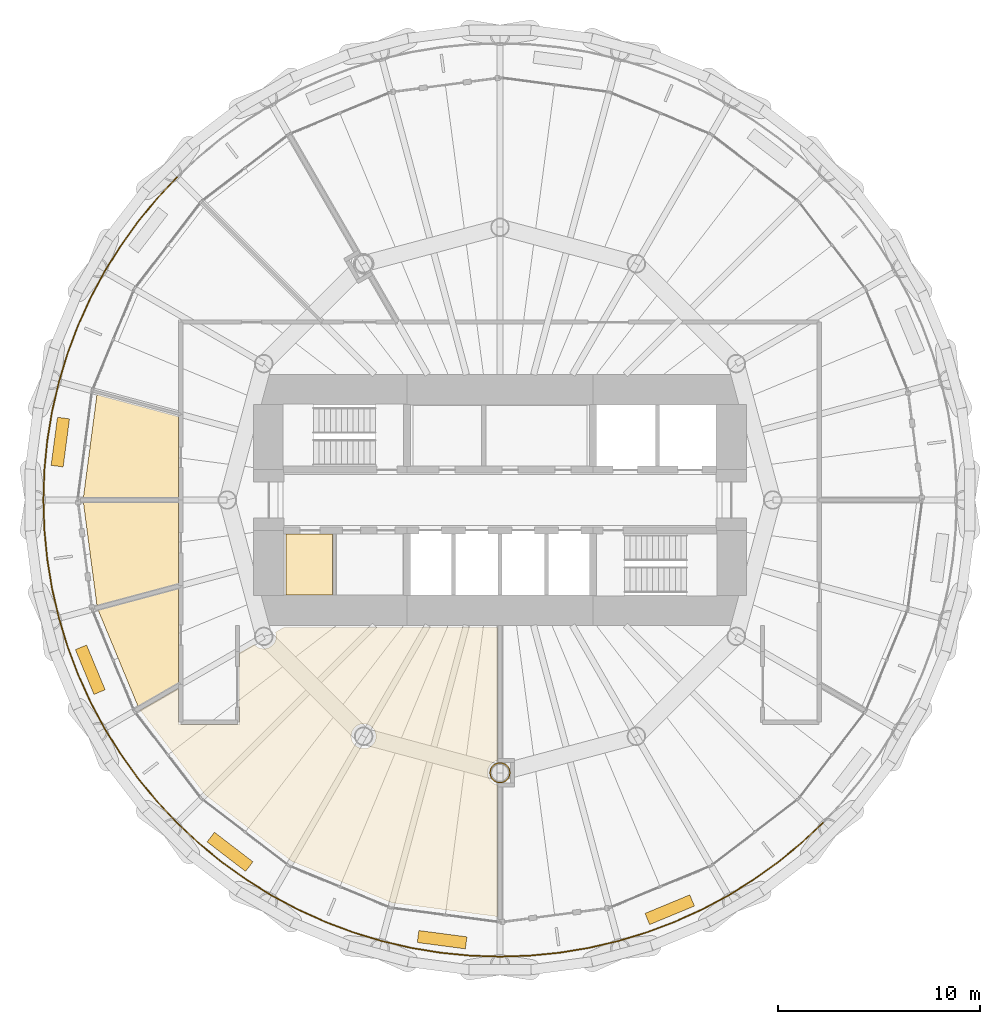
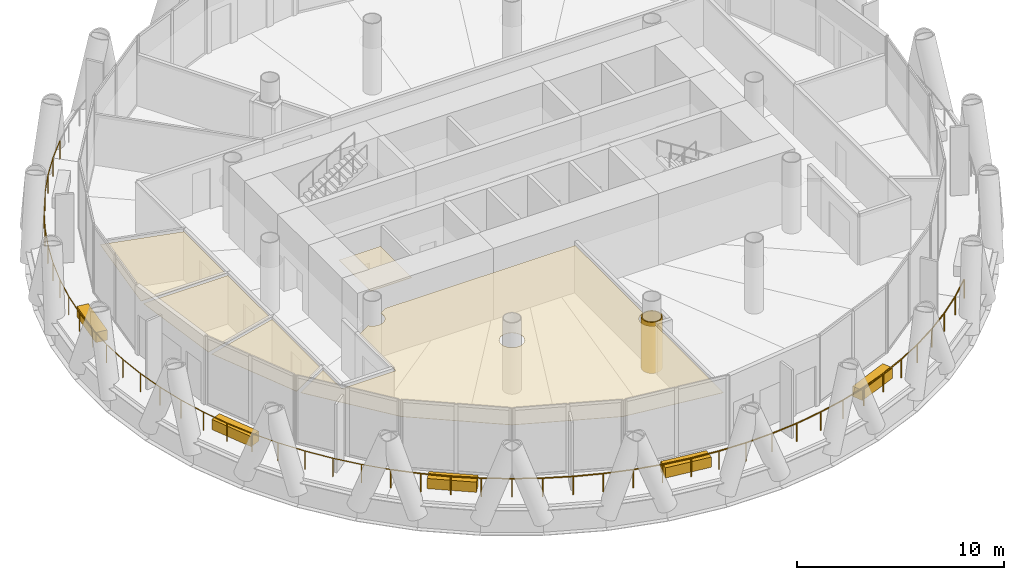
# One storey, part 12 of 14: 11 coverings, 2 railings.
"""IFC4 building model written with IfcOpenShell, lengths in metres."""

import ifcopenshell
import ifcopenshell.guid

model = None  # the IFC model being written
_history = None  # IfcOwnerHistory: only IFC2X3 demands one
_inside = {}  # id of a spatial element -> (the spatial element, [elements in it])
_under = {}  # id of a project, library or spatial element -> (it, [spatial elements below it])
_declared = {}  # id of a project -> (the project, [libraries it declares])
_typed = {}  # id of a type object -> (the type object, [elements of that type])
_made_of = {}  # id of a material, layer set ... -> (it, [elements and type objects made of it])


def new_model(schema):
    """Start an empty IFC model of exactly this schema.

    Asked for "IFC4X3", IfcOpenShell would pick the latest addendum, in which some entities
    have other attributes; the version numbers below select the first issue.
    IFC2X3 requires an IfcOwnerHistory on every rooted entity: one is made here for all.
    """
    global model, _history
    if schema == "IFC4X3":
        model = ifcopenshell.file(schema_version=(4, 3, 0, 0))
    else:
        model = ifcopenshell.file(schema=schema)
    _inside.clear()
    _under.clear()
    _declared.clear()
    _typed.clear()
    _made_of.clear()
    _history = None
    if model.schema == "IFC2X3":
        org = make("IfcOrganization", Name="unknown")
        user = make(
            "IfcPersonAndOrganization",
            ThePerson=make("IfcPerson", FamilyName="unknown"),
            TheOrganization=org,
        )
        app = make(
            "IfcApplication",
            ApplicationDeveloper=org,
            Version="unknown",
            ApplicationFullName="unknown",
            ApplicationIdentifier="unknown",
        )
        _history = make(
            "IfcOwnerHistory",
            OwningUser=user,
            OwningApplication=app,
            ChangeAction="ADDED",
            CreationDate=0,
        )
    return model


def make(cls, **values):
    """One entity of the class cls with the attributes given. An attribute that is None is left unset."""
    return model.create_entity(
        cls, **{name: value for name, value in values.items() if value is not None}
    )


def rooted(cls, **values):
    """An entity with a GlobalId (a new one), such as an element, a storey or a relation."""
    return make(cls, GlobalId=ifcopenshell.guid.new(), OwnerHistory=_history, **values)


def si_unit(unit_type, name, prefix=None):
    """IfcSIUnit, for example si_unit("LENGTHUNIT", "METRE", prefix="MILLI")."""
    return make("IfcSIUnit", UnitType=unit_type, Prefix=prefix, Name=name)


def assignment(units):
    """IfcUnitAssignment: the units of a project."""
    return None if units is None else make("IfcUnitAssignment", Units=units)


def point(xyz):
    """IfcCartesianPoint."""
    return None if xyz is None else make("IfcCartesianPoint", Coordinates=xyz)


def direction(xyz):
    """IfcDirection."""
    return None if xyz is None else make("IfcDirection", DirectionRatios=xyz)


def frame(location, z_axis=None, x_axis=None):
    """IfcAxis2Placement3D, a coordinate frame: its origin and axes. An axis left out is left unset."""
    return make(
        "IfcAxis2Placement3D",
        Location=point(location),
        Axis=direction(z_axis),
        RefDirection=direction(x_axis),
    )


def frame_2d(location, x_axis=None):
    """IfcAxis2Placement2D, a coordinate frame in the plane: its origin and x axis."""
    return make(
        "IfcAxis2Placement2D", Location=point(location), RefDirection=direction(x_axis)
    )


def origin():
    """The frame at (0, 0, 0) with its axes left unset."""
    return frame((0.0, 0.0, 0.0))


def origin_2d():
    """The frame at (0, 0) in the plane with its x axis left unset."""
    return frame_2d((0.0, 0.0))


def place(relative_to, where):
    """IfcLocalPlacement: puts the frame where relative to a parent placement (None: the world)."""
    return make(
        "IfcLocalPlacement", PlacementRelTo=relative_to, RelativePlacement=where
    )


def context(
    kind, dimensions, precision=None, world=None, true_north=None, identifier=None
):
    """IfcGeometricRepresentationContext, for example the 3D "Model" context."""
    return make(
        "IfcGeometricRepresentationContext",
        ContextIdentifier=identifier,
        ContextType=kind,
        CoordinateSpaceDimension=dimensions,
        Precision=precision,
        WorldCoordinateSystem=world,
        TrueNorth=true_north,
    )


def subcontext(parent, identifier, kind, view, scale=None):
    """IfcGeometricRepresentationSubContext, for example "Body" below "Model"."""
    return make(
        "IfcGeometricRepresentationSubContext",
        ContextIdentifier=identifier,
        ContextType=kind,
        ParentContext=parent,
        TargetScale=scale,
        TargetView=view,
    )


def project(units=None, contexts=None):
    """IfcProject with its units and contexts."""
    return rooted(
        "IfcProject",
        Name="project",
        RepresentationContexts=contexts,
        UnitsInContext=assignment(units),
    )


def spatial(cls, under=None, at=None, **own):
    """A site, building, storey or space (cls), placed at a placement, below another one or the project."""
    s = rooted(cls, ObjectPlacement=at, **own)
    if under is not None:
        _under.setdefault(under.id(), (under, []))[1].append(s)
    return s


def polyline(points):
    """IfcPolyline through the points."""
    return make("IfcPolyline", Points=[point(p) for p in points])


def profile(cls, at=None, kind="AREA", **sizes):
    """A parametric profile (cls). Its sizes go by their IFC names, for example OverallWidth=200.0."""
    return make(cls, ProfileType=kind, Position=at, **sizes)


def rectangle(**sizes):
    """IfcRectangleProfileDef."""
    return profile("IfcRectangleProfileDef", **sizes)


def circle(**sizes):
    """IfcCircleProfileDef."""
    return profile("IfcCircleProfileDef", **sizes)


def outline(outer, holes=None, kind="AREA"):
    """IfcArbitraryClosedProfileDef: a profile drawn as a closed curve; with holes, ...WithVoids."""
    if holes is None:
        return make("IfcArbitraryClosedProfileDef", ProfileType=kind, OuterCurve=outer)
    return make(
        "IfcArbitraryProfileDefWithVoids",
        ProfileType=kind,
        OuterCurve=outer,
        InnerCurves=holes,
    )


def extrude(swept, where, along, depth):
    """IfcExtrudedAreaSolid: the profile swept, set in the frame where, extruded along a direction by depth."""
    return make(
        "IfcExtrudedAreaSolid",
        SweptArea=swept,
        Position=where,
        ExtrudedDirection=direction(along),
        Depth=depth,
    )


def shape(context_of_items, identifier, shape_type, items):
    """IfcShapeRepresentation: the items that make up one representation, for example the "Body"."""
    return make(
        "IfcShapeRepresentation",
        ContextOfItems=context_of_items,
        RepresentationIdentifier=identifier,
        RepresentationType=shape_type,
        Items=items,
    )


def material(Name=None, Category=None):
    """IfcMaterial."""
    return make("IfcMaterial", Name=Name, Category=Category)


def layer(
    of_material, thickness, ventilated=None, Name=None, Category=None, Priority=None
):
    """IfcMaterialLayer: one layer of a wall or slab, of a material (None: an air gap)."""
    return make(
        "IfcMaterialLayer",
        Material=of_material,
        LayerThickness=thickness,
        IsVentilated=ventilated,
        Name=Name,
        Category=Category,
        Priority=Priority,
    )


def layer_set(layers, Name=None):
    """IfcMaterialLayerSet."""
    return make("IfcMaterialLayerSet", MaterialLayers=layers, LayerSetName=Name)


def made_of(thing, what):
    """Note that an element or type object is made of a material, layer set ...; save() writes the relation."""
    if what is not None:
        _made_of.setdefault(what.id(), (what, []))[1].append(thing)
    return thing


def type_object(cls, material=None, **own):
    """A type object (cls), such as IfcWallType, which elements share."""
    return made_of(rooted(cls, **own), material)


def element(
    cls,
    number,
    at=None,
    inside=None,
    cuts=None,
    type_object=None,
    material=None,
    context=None,
    identifier="Body",
    shape_type=None,
    held_by="IfcProductDefinitionShape",
    body=None,
    shapes=None,
    **own,
):
    """One element of the class cls, such as IfcWall. Its Tag is "e" and its number.

    at: its placement. inside: the storey or other place that contains it. cuts: it is an
    opening in that element (IfcRelVoidsElement). A single representation is given by context,
    identifier, shape_type and body (its items); several are given by shapes. held_by: the class
    of the entity that holds the representations. save() writes the other relations.
    """
    e = rooted(cls, Tag="e%d" % number, ObjectPlacement=at, **own)
    if body is not None:
        shapes = [shape(context, identifier, shape_type, body)]
    if shapes is not None:
        e.Representation = make(held_by, Representations=shapes)
    if inside is not None:
        _inside.setdefault(inside.id(), (inside, []))[1].append(e)
    if cuts is not None:
        rooted(
            "IfcRelVoidsElement", RelatingBuildingElement=cuts, RelatedOpeningElement=e
        )
    if type_object is not None:
        _typed.setdefault(type_object.id(), (type_object, []))[1].append(e)
    return made_of(e, material)


def aggregate(whole, parts):
    """IfcRelAggregates: a whole, such as a stair, and the parts it consists of."""
    return rooted("IfcRelAggregates", RelatingObject=whole, RelatedObjects=parts)


def save(model, path):
    """Write the relations noted so far, then the file.

    IfcRelAggregates (storeys below a building ...), IfcRelContainedInSpatialStructure (elements
    in a storey), IfcRelDefinesByType, IfcRelAssociatesMaterial and IfcRelDeclares: one each for
    every whole, place, type object, material and project.
    """
    for whole, parts in _under.values():
        aggregate(whole, parts)
    for where, things in _inside.values():
        rooted(
            "IfcRelContainedInSpatialStructure",
            RelatedElements=things,
            RelatingStructure=where,
        )
    for kind, things in _typed.values():
        rooted("IfcRelDefinesByType", RelatedObjects=things, RelatingType=kind)
    for what, things in _made_of.values():
        rooted("IfcRelAssociatesMaterial", RelatedObjects=things, RelatingMaterial=what)
    for by, libraries in _declared.values():
        rooted("IfcRelDeclares", RelatingContext=by, RelatedDefinitions=libraries)
    model.write(path)


model = new_model("IFC4")

# Units and contexts
model_context = context("Model", 3, precision=1e-05, world=origin(), true_north=direction((0.0, 1.0)))
body_context = subcontext(model_context, "Body", "Model", "MODEL_VIEW")
ifc_project = project(units=[si_unit("LENGTHUNIT", "METRE"), si_unit("AREAUNIT", "SQUARE_METRE"), si_unit("VOLUMEUNIT", "CUBIC_METRE"), si_unit("PLANEANGLEUNIT", "RADIAN"), si_unit("MASSUNIT", "GRAM", prefix="KILO")], contexts=[model_context])

# Site, building, storey
site_placement = place(None, origin())
site = spatial("IfcSite", under=ifc_project, at=site_placement, CompositionType="ELEMENT")
building_placement = place(site_placement, origin())
building = spatial("IfcBuilding", under=site, at=building_placement, Name="Qaws Media Tower", CompositionType="ELEMENT")
storey_placement = place(building_placement, frame((0.0, 0.0, 206.60009765625)))
storey = spatial("IfcBuildingStorey", under=building, at=storey_placement, Name="L47", CompositionType="ELEMENT", Elevation=206.60009765625)

# Railings
ifc_material_1 = material(Name="Stainless steel and glass guard", Category="steel")
railing_type = type_object("IfcRailingType", Name="Balcony guard 1100", PredefinedType="GUARDRAIL", material=ifc_material_1)
railing_1_placement = place(storey_placement, frame((44.019287109375, 65.980712890625, 0.0)))
element("IfcRailing", 1, at=railing_1_placement, inside=storey, type_object=railing_type, Name="GR1 balcony guard L47-2", PredefinedType="GUARDRAIL", context=body_context, shape_type="SweptSolid", body=[
    extrude(circle(Radius=0.02392578125, at=origin_2d()), frame((0.0, 0.0, 1.076171875), z_axis=(-0.683534708636, -0.729918010526, 0.0), x_axis=(0.729918010526, -0.683534708636, 0.0)), (0.0, 0.0, 1.0), 1.47900390625),
    extrude(circle(Radius=0.02392578125, at=origin_2d()), frame((-1.010986328125, -1.07958984375, 1.076171875), z_axis=(-0.6343520334, -0.773044305148, 0.0), x_axis=(0.773044305148, -0.6343520334, 0.0)), (0.0, 0.0, 1.0), 1.478759765625),
    extrude(circle(Radius=0.02392578125, at=origin_2d()), frame((-1.948974609375, -2.22265625, 1.076171875), z_axis=(-0.582533482314, -0.812806706409, 0.0), x_axis=(0.812806706409, -0.582533482314, 0.0)), (0.0, 0.0, 1.0), 1.47900390625),
    extrude(circle(Radius=0.02392578125, at=origin_2d()), frame((-2.810546875, -3.4248046875, 1.076171875), z_axis=(-0.528098236808, -0.849183285446, 0.0), x_axis=(0.849183285446, -0.528098236808, 0.0)), (0.0, 0.0, 1.0), 1.47900390625),
    extrude(circle(Radius=0.02392578125, at=origin_2d()), frame((-3.591552734375, -4.6806640625, 1.076171875), z_axis=(-0.471282079795, -0.881982540226, 0.0), x_axis=(0.881982540226, -0.471282079795, 0.0)), (0.0, 0.0, 1.0), 1.47900390625),
    extrude(circle(Radius=0.02392578125, at=origin_2d()), frame((-4.28857421875, -5.985107421875, 1.076171875), z_axis=(-0.412745358615, -0.910846457391, 0.0), x_axis=(0.910846457391, -0.412745358615, 0.0)), (0.0, 0.0, 1.0), 1.478759765625),
    extrude(circle(Radius=0.02392578125, at=origin_2d()), frame((-4.89892578125, -7.33203125, 1.076171875), z_axis=(-0.352299138469, -0.935887448914, 0.0), x_axis=(0.935887448914, -0.352299138469, 0.0)), (0.0, 0.0, 1.0), 1.478759765625),
    extrude(circle(Radius=0.02392578125, at=origin_2d()), frame((-5.419921875, -8.716064453125, 1.076171875), z_axis=(-0.290208982449, -0.956963294231, 0.0), x_axis=(0.956963294231, -0.290208982449, 0.0)), (0.0, 0.0, 1.0), 1.47900390625),
    extrude(circle(Radius=0.02392578125, at=origin_2d()), frame((-5.84912109375, -10.13134765625, 1.076171875), z_axis=(-0.227125254792, -0.973865554702, 0.0), x_axis=(0.973865554702, -0.227125254792, 0.0)), (0.0, 0.0, 1.0), 1.47900390625),
    extrude(circle(Radius=0.02392578125, at=origin_2d()), frame((-6.18505859375, -11.57177734375, 1.076171875), z_axis=(-0.162953075722, -0.986633820175, 0.0), x_axis=(0.986633820175, -0.162953075722, 0.0)), (0.0, 0.0, 1.0), 1.478759765625),
    extrude(circle(Radius=0.02392578125, at=origin_2d()), frame((-6.426025390625, -13.03076171875, 1.076171875), z_axis=(-0.097885589811, -0.995197674488, 0.0), x_axis=(0.995197674488, -0.097885589811, 0.0)), (0.0, 0.0, 1.0), 1.47900390625),
    extrude(circle(Radius=0.02392578125, at=origin_2d()), frame((-6.57080078125, -14.502685546875, 1.076171875), z_axis=(-0.032853085257, -0.999460191698, 0.0), x_axis=(0.999460191698, -0.032853085257, 0.0)), (0.0, 0.0, 1.0), 1.478759765625),
    extrude(circle(Radius=0.02392578125, at=origin_2d()), frame((-6.619384765625, -15.980712890625, 1.076171875), z_axis=(0.032853085257, -0.999460191698, 0.0), x_axis=(0.999460191698, 0.032853085257, 0.0)), (0.0, 0.0, 1.0), 1.478759765625),
    extrude(circle(Radius=0.02392578125, at=origin_2d()), frame((-6.57080078125, -17.458740234375, 1.076171875), z_axis=(0.097885589811, -0.995197674488, 0.0), x_axis=(0.995197674488, 0.097885589811, 0.0)), (0.0, 0.0, 1.0), 1.47900390625),
    extrude(circle(Radius=0.02392578125, at=origin_2d()), frame((-6.426025390625, -18.9306640625, 1.076171875), z_axis=(0.162953075722, -0.986633820175, 0.0), x_axis=(0.986633820175, 0.162953075722, 0.0)), (0.0, 0.0, 1.0), 1.478759765625),
    extrude(circle(Radius=0.02392578125, at=origin_2d()), frame((-6.18505859375, -20.3896484375, 1.076171875), z_axis=(0.227125254792, -0.973865554702, 0.0), x_axis=(0.973865554702, 0.227125254792, 0.0)), (0.0, 0.0, 1.0), 1.47900390625),
    extrude(circle(Radius=0.02392578125, at=origin_2d()), frame((-5.84912109375, -21.830078125, 1.076171875), z_axis=(0.290208982449, -0.956963294231, 0.0), x_axis=(0.956963294231, 0.290208982449, 0.0)), (0.0, 0.0, 1.0), 1.47900390625),
    extrude(circle(Radius=0.02392578125, at=origin_2d()), frame((-5.419921875, -23.245361328125, 1.076171875), z_axis=(0.352299138469, -0.935887448914, 0.0), x_axis=(0.935887448914, 0.352299138469, 0.0)), (0.0, 0.0, 1.0), 1.478759765625),
    extrude(circle(Radius=0.02392578125, at=origin_2d()), frame((-4.89892578125, -24.62939453125, 1.076171875), z_axis=(0.412745358615, -0.910846457391, 0.0), x_axis=(0.910846457391, 0.412745358615, 0.0)), (0.0, 0.0, 1.0), 1.478759765625),
    extrude(circle(Radius=0.02392578125, at=origin_2d()), frame((-4.28857421875, -25.976318359375, 1.076171875), z_axis=(0.471282079795, -0.881982540226, 0.0), x_axis=(0.881982540226, 0.471282079795, 0.0)), (0.0, 0.0, 1.0), 1.47900390625),
    extrude(circle(Radius=0.02392578125, at=origin_2d()), frame((-3.591552734375, -27.28076171875, 1.076171875), z_axis=(0.528098236808, -0.849183285446, 0.0), x_axis=(0.849183285446, 0.528098236808, 0.0)), (0.0, 0.0, 1.0), 1.47900390625),
    extrude(circle(Radius=0.02392578125, at=origin_2d()), frame((-2.810546875, -28.53662109375, 1.076171875), z_axis=(0.582533482314, -0.812806706409, 0.0), x_axis=(0.812806706409, 0.582533482314, 0.0)), (0.0, 0.0, 1.0), 1.47900390625),
    extrude(circle(Radius=0.02392578125, at=origin_2d()), frame((-1.948974609375, -29.73876953125, 1.076171875), z_axis=(0.6343520334, -0.773044305148, 0.0), x_axis=(0.773044305148, 0.6343520334, 0.0)), (0.0, 0.0, 1.0), 1.478759765625),
    extrude(circle(Radius=0.02392578125, at=origin_2d()), frame((-1.010986328125, -30.8818359375, 1.076171875), z_axis=(0.683534708636, -0.729918010526, 0.0), x_axis=(0.729918010526, 0.683534708636, 0.0)), (0.0, 0.0, 1.0), 1.47900390625),
    extrude(circle(Radius=0.02099609375, at=origin_2d()), origin(), (0.0, 0.0, 1.0), 1.052001953125),
    extrude(circle(Radius=0.02099609375, at=origin_2d()), frame((-1.010986328125, -1.07958984375, 0.0)), (0.0, 0.0, 1.0), 1.052001953125),
    extrude(circle(Radius=0.02099609375, at=origin_2d()), frame((-1.948974609375, -2.22265625, 0.0)), (0.0, 0.0, 1.0), 1.052001953125),
    extrude(circle(Radius=0.02099609375, at=origin_2d()), frame((-2.810546875, -3.4248046875, 0.0)), (0.0, 0.0, 1.0), 1.052001953125),
    extrude(circle(Radius=0.02099609375, at=origin_2d()), frame((-3.591552734375, -4.6806640625, 0.0)), (0.0, 0.0, 1.0), 1.052001953125),
    extrude(circle(Radius=0.02099609375, at=origin_2d()), frame((-4.28857421875, -5.985107421875, 0.0)), (0.0, 0.0, 1.0), 1.052001953125),
    extrude(circle(Radius=0.02099609375, at=origin_2d()), frame((-4.89892578125, -7.33203125, 0.0)), (0.0, 0.0, 1.0), 1.052001953125),
    extrude(circle(Radius=0.02099609375, at=origin_2d()), frame((-5.419921875, -8.716064453125, 0.0)), (0.0, 0.0, 1.0), 1.052001953125),
    extrude(circle(Radius=0.02099609375, at=origin_2d()), frame((-5.84912109375, -10.13134765625, 0.0)), (0.0, 0.0, 1.0), 1.052001953125),
    extrude(circle(Radius=0.02099609375, at=origin_2d()), frame((-6.18505859375, -11.57177734375, 0.0)), (0.0, 0.0, 1.0), 1.052001953125),
    extrude(circle(Radius=0.02099609375, at=origin_2d()), frame((-6.426025390625, -13.03076171875, 0.0)), (0.0, 0.0, 1.0), 1.052001953125),
    extrude(circle(Radius=0.02099609375, at=origin_2d()), frame((-6.57080078125, -14.502685546875, 0.0)), (0.0, 0.0, 1.0), 1.052001953125),
    extrude(circle(Radius=0.02099609375, at=origin_2d()), frame((-6.619384765625, -15.980712890625, 0.0)), (0.0, 0.0, 1.0), 1.052001953125),
    extrude(circle(Radius=0.02099609375, at=origin_2d()), frame((-6.57080078125, -17.458740234375, 0.0)), (0.0, 0.0, 1.0), 1.052001953125),
    extrude(circle(Radius=0.02099609375, at=origin_2d()), frame((-6.426025390625, -18.9306640625, 0.0)), (0.0, 0.0, 1.0), 1.052001953125),
    extrude(circle(Radius=0.02099609375, at=origin_2d()), frame((-6.18505859375, -20.3896484375, 0.0)), (0.0, 0.0, 1.0), 1.052001953125),
    extrude(circle(Radius=0.02099609375, at=origin_2d()), frame((-5.84912109375, -21.830078125, 0.0)), (0.0, 0.0, 1.0), 1.052001953125),
    extrude(circle(Radius=0.02099609375, at=origin_2d()), frame((-5.419921875, -23.245361328125, 0.0)), (0.0, 0.0, 1.0), 1.052001953125),
    extrude(circle(Radius=0.02099609375, at=origin_2d()), frame((-4.89892578125, -24.62939453125, 0.0)), (0.0, 0.0, 1.0), 1.052001953125),
    extrude(circle(Radius=0.02099609375, at=origin_2d()), frame((-4.28857421875, -25.976318359375, 0.0)), (0.0, 0.0, 1.0), 1.052001953125),
    extrude(circle(Radius=0.02099609375, at=origin_2d()), frame((-3.591552734375, -27.28076171875, 0.0)), (0.0, 0.0, 1.0), 1.052001953125),
    extrude(circle(Radius=0.02099609375, at=origin_2d()), frame((-2.810546875, -28.53662109375, 0.0)), (0.0, 0.0, 1.0), 1.052001953125),
    extrude(circle(Radius=0.02099609375, at=origin_2d()), frame((-1.948974609375, -29.73876953125, 0.0)), (0.0, 0.0, 1.0), 1.052001953125),
    extrude(circle(Radius=0.02099609375, at=origin_2d()), frame((-1.010986328125, -30.8818359375, 0.0)), (0.0, 0.0, 1.0), 1.052001953125),
    extrude(circle(Radius=0.02099609375, at=origin_2d()), frame((0.0, -31.96142578125, 0.0)), (0.0, 0.0, 1.0), 1.052001953125),
])
railing_2_placement = place(storey_placement, frame((44.019287109375, 34.019287109375, 0.0)))
element("IfcRailing", 2, at=railing_2_placement, inside=storey, type_object=railing_type, Name="GR1 balcony guard L47-3", PredefinedType="GUARDRAIL", context=body_context, shape_type="SweptSolid", body=[
    extrude(circle(Radius=0.02392578125, at=origin_2d()), frame((0.0, 0.0, 1.076171875), z_axis=(0.729918010526, -0.683534708636, 0.0), x_axis=(0.683534708636, 0.729918010526, 0.0)), (0.0, 0.0, 1.0), 1.47900390625),
    extrude(circle(Radius=0.02392578125, at=origin_2d()), frame((1.07958984375, -1.010986328125, 1.076171875), z_axis=(0.773044305148, -0.6343520334, 0.0), x_axis=(0.6343520334, 0.773044305148, 0.0)), (0.0, 0.0, 1.0), 1.478759765625),
    extrude(circle(Radius=0.02392578125, at=origin_2d()), frame((2.22265625, -1.948974609375, 1.076171875), z_axis=(0.812806706409, -0.582533482314, 0.0), x_axis=(0.582533482314, 0.812806706409, 0.0)), (0.0, 0.0, 1.0), 1.47900390625),
    extrude(circle(Radius=0.02392578125, at=origin_2d()), frame((3.4248046875, -2.810546875, 1.076171875), z_axis=(0.849183285446, -0.528098236808, 0.0), x_axis=(0.528098236808, 0.849183285446, 0.0)), (0.0, 0.0, 1.0), 1.47900390625),
    extrude(circle(Radius=0.02392578125, at=origin_2d()), frame((4.6806640625, -3.591552734375, 1.076171875), z_axis=(0.881982540226, -0.471282079795, 0.0), x_axis=(0.471282079795, 0.881982540226, 0.0)), (0.0, 0.0, 1.0), 1.47900390625),
    extrude(circle(Radius=0.02392578125, at=origin_2d()), frame((5.985107421875, -4.28857421875, 1.076171875), z_axis=(0.910846457391, -0.412745358615, 0.0), x_axis=(0.412745358615, 0.910846457391, 0.0)), (0.0, 0.0, 1.0), 1.478759765625),
    extrude(circle(Radius=0.02392578125, at=origin_2d()), frame((7.33203125, -4.89892578125, 1.076171875), z_axis=(0.935887448914, -0.352299138469, 0.0), x_axis=(0.352299138469, 0.935887448914, 0.0)), (0.0, 0.0, 1.0), 1.478759765625),
    extrude(circle(Radius=0.02392578125, at=origin_2d()), frame((8.716064453125, -5.419921875, 1.076171875), z_axis=(0.956963294231, -0.290208982449, 0.0), x_axis=(0.290208982449, 0.956963294231, 0.0)), (0.0, 0.0, 1.0), 1.47900390625),
    extrude(circle(Radius=0.02392578125, at=origin_2d()), frame((10.13134765625, -5.84912109375, 1.076171875), z_axis=(0.973865554702, -0.227125254792, 0.0), x_axis=(0.227125254792, 0.973865554702, 0.0)), (0.0, 0.0, 1.0), 1.47900390625),
    extrude(circle(Radius=0.02392578125, at=origin_2d()), frame((11.57177734375, -6.18505859375, 1.076171875), z_axis=(0.986633820175, -0.162953075722, 0.0), x_axis=(0.162953075722, 0.986633820175, 0.0)), (0.0, 0.0, 1.0), 1.478759765625),
    extrude(circle(Radius=0.02392578125, at=origin_2d()), frame((13.03076171875, -6.426025390625, 1.076171875), z_axis=(0.995197674488, -0.097885589811, 0.0), x_axis=(0.097885589811, 0.995197674488, 0.0)), (0.0, 0.0, 1.0), 1.47900390625),
    extrude(circle(Radius=0.02392578125, at=origin_2d()), frame((14.502685546875, -6.57080078125, 1.076171875), z_axis=(0.999460191698, -0.032853085257, 0.0), x_axis=(0.032853085257, 0.999460191698, 0.0)), (0.0, 0.0, 1.0), 1.478759765625),
    extrude(circle(Radius=0.02392578125, at=origin_2d()), frame((15.980712890625, -6.619384765625, 1.076171875), z_axis=(0.999460191698, 0.032853085257, 0.0), x_axis=(-0.032853085257, 0.999460191698, 0.0)), (0.0, 0.0, 1.0), 1.478759765625),
    extrude(circle(Radius=0.02392578125, at=origin_2d()), frame((17.458740234375, -6.57080078125, 1.076171875), z_axis=(0.995197674488, 0.097885589811, 0.0), x_axis=(-0.097885589811, 0.995197674488, 0.0)), (0.0, 0.0, 1.0), 1.47900390625),
    extrude(circle(Radius=0.02392578125, at=origin_2d()), frame((18.9306640625, -6.426025390625, 1.076171875), z_axis=(0.986633820175, 0.162953075722, 0.0), x_axis=(-0.162953075722, 0.986633820175, 0.0)), (0.0, 0.0, 1.0), 1.478759765625),
    extrude(circle(Radius=0.02392578125, at=origin_2d()), frame((20.3896484375, -6.18505859375, 1.076171875), z_axis=(0.973865554702, 0.227125254792, 0.0), x_axis=(-0.227125254792, 0.973865554702, 0.0)), (0.0, 0.0, 1.0), 1.47900390625),
    extrude(circle(Radius=0.02392578125, at=origin_2d()), frame((21.830078125, -5.84912109375, 1.076171875), z_axis=(0.956963294231, 0.290208982449, 0.0), x_axis=(-0.290208982449, 0.956963294231, 0.0)), (0.0, 0.0, 1.0), 1.47900390625),
    extrude(circle(Radius=0.02392578125, at=origin_2d()), frame((23.245361328125, -5.419921875, 1.076171875), z_axis=(0.935887448914, 0.352299138469, 0.0), x_axis=(-0.352299138469, 0.935887448914, 0.0)), (0.0, 0.0, 1.0), 1.478759765625),
    extrude(circle(Radius=0.02392578125, at=origin_2d()), frame((24.62939453125, -4.89892578125, 1.076171875), z_axis=(0.910846457391, 0.412745358615, 0.0), x_axis=(-0.412745358615, 0.910846457391, 0.0)), (0.0, 0.0, 1.0), 1.478759765625),
    extrude(circle(Radius=0.02392578125, at=origin_2d()), frame((25.976318359375, -4.28857421875, 1.076171875), z_axis=(0.881982540226, 0.471282079795, 0.0), x_axis=(-0.471282079795, 0.881982540226, 0.0)), (0.0, 0.0, 1.0), 1.47900390625),
    extrude(circle(Radius=0.02392578125, at=origin_2d()), frame((27.28076171875, -3.591552734375, 1.076171875), z_axis=(0.849183285446, 0.528098236808, 0.0), x_axis=(-0.528098236808, 0.849183285446, 0.0)), (0.0, 0.0, 1.0), 1.47900390625),
    extrude(circle(Radius=0.02392578125, at=origin_2d()), frame((28.53662109375, -2.810546875, 1.076171875), z_axis=(0.812806706409, 0.582533482314, 0.0), x_axis=(-0.582533482314, 0.812806706409, 0.0)), (0.0, 0.0, 1.0), 1.47900390625),
    extrude(circle(Radius=0.02392578125, at=origin_2d()), frame((29.73876953125, -1.948974609375, 1.076171875), z_axis=(0.773044305148, 0.6343520334, 0.0), x_axis=(-0.6343520334, 0.773044305148, 0.0)), (0.0, 0.0, 1.0), 1.478759765625),
    extrude(circle(Radius=0.02392578125, at=origin_2d()), frame((30.8818359375, -1.010986328125, 1.076171875), z_axis=(0.729918010526, 0.683534708636, 0.0), x_axis=(-0.683534708636, 0.729918010526, 0.0)), (0.0, 0.0, 1.0), 1.47900390625),
    extrude(circle(Radius=0.02099609375, at=origin_2d()), origin(), (0.0, 0.0, 1.0), 1.052001953125),
    extrude(circle(Radius=0.02099609375, at=origin_2d()), frame((1.07958984375, -1.010986328125, 0.0)), (0.0, 0.0, 1.0), 1.052001953125),
    extrude(circle(Radius=0.02099609375, at=origin_2d()), frame((2.22265625, -1.948974609375, 0.0)), (0.0, 0.0, 1.0), 1.052001953125),
    extrude(circle(Radius=0.02099609375, at=origin_2d()), frame((3.4248046875, -2.810546875, 0.0)), (0.0, 0.0, 1.0), 1.052001953125),
    extrude(circle(Radius=0.02099609375, at=origin_2d()), frame((4.6806640625, -3.591552734375, 0.0)), (0.0, 0.0, 1.0), 1.052001953125),
    extrude(circle(Radius=0.02099609375, at=origin_2d()), frame((5.985107421875, -4.28857421875, 0.0)), (0.0, 0.0, 1.0), 1.052001953125),
    extrude(circle(Radius=0.02099609375, at=origin_2d()), frame((7.33203125, -4.89892578125, 0.0)), (0.0, 0.0, 1.0), 1.052001953125),
    extrude(circle(Radius=0.02099609375, at=origin_2d()), frame((8.716064453125, -5.419921875, 0.0)), (0.0, 0.0, 1.0), 1.052001953125),
    extrude(circle(Radius=0.02099609375, at=origin_2d()), frame((10.13134765625, -5.84912109375, 0.0)), (0.0, 0.0, 1.0), 1.052001953125),
    extrude(circle(Radius=0.02099609375, at=origin_2d()), frame((11.57177734375, -6.18505859375, 0.0)), (0.0, 0.0, 1.0), 1.052001953125),
    extrude(circle(Radius=0.02099609375, at=origin_2d()), frame((13.03076171875, -6.426025390625, 0.0)), (0.0, 0.0, 1.0), 1.052001953125),
    extrude(circle(Radius=0.02099609375, at=origin_2d()), frame((14.502685546875, -6.57080078125, 0.0)), (0.0, 0.0, 1.0), 1.052001953125),
    extrude(circle(Radius=0.02099609375, at=origin_2d()), frame((15.980712890625, -6.619384765625, 0.0)), (0.0, 0.0, 1.0), 1.052001953125),
    extrude(circle(Radius=0.02099609375, at=origin_2d()), frame((17.458740234375, -6.57080078125, 0.0)), (0.0, 0.0, 1.0), 1.052001953125),
    extrude(circle(Radius=0.02099609375, at=origin_2d()), frame((18.9306640625, -6.426025390625, 0.0)), (0.0, 0.0, 1.0), 1.052001953125),
    extrude(circle(Radius=0.02099609375, at=origin_2d()), frame((20.3896484375, -6.18505859375, 0.0)), (0.0, 0.0, 1.0), 1.052001953125),
    extrude(circle(Radius=0.02099609375, at=origin_2d()), frame((21.830078125, -5.84912109375, 0.0)), (0.0, 0.0, 1.0), 1.052001953125),
    extrude(circle(Radius=0.02099609375, at=origin_2d()), frame((23.245361328125, -5.419921875, 0.0)), (0.0, 0.0, 1.0), 1.052001953125),
    extrude(circle(Radius=0.02099609375, at=origin_2d()), frame((24.62939453125, -4.89892578125, 0.0)), (0.0, 0.0, 1.0), 1.052001953125),
    extrude(circle(Radius=0.02099609375, at=origin_2d()), frame((25.976318359375, -4.28857421875, 0.0)), (0.0, 0.0, 1.0), 1.052001953125),
    extrude(circle(Radius=0.02099609375, at=origin_2d()), frame((27.28076171875, -3.591552734375, 0.0)), (0.0, 0.0, 1.0), 1.052001953125),
    extrude(circle(Radius=0.02099609375, at=origin_2d()), frame((28.53662109375, -2.810546875, 0.0)), (0.0, 0.0, 1.0), 1.052001953125),
    extrude(circle(Radius=0.02099609375, at=origin_2d()), frame((29.73876953125, -1.948974609375, 0.0)), (0.0, 0.0, 1.0), 1.052001953125),
    extrude(circle(Radius=0.02099609375, at=origin_2d()), frame((30.8818359375, -1.010986328125, 0.0)), (0.0, 0.0, 1.0), 1.052001953125),
    extrude(circle(Radius=0.02099609375, at=origin_2d()), frame((31.96142578125, 0.0, 0.0)), (0.0, 0.0, 1.0), 1.052001953125),
])

# Coverings
ifc_material_2 = material(Name="Two layers 15 fire-rated gypsum board on steel framing", Category="steel")
ifc_layer_1 = layer(ifc_material_2, 0.050048828125)
ifc_layer_set_1 = layer_set([ifc_layer_1], Name="Column fire casing")
covering_type_1 = type_object("IfcCoveringType", Name="Column fire casing", PredefinedType="CLADDING", material=ifc_layer_set_1)
covering_1_placement = place(storey_placement, origin())
element("IfcCovering", 3, at=covering_1_placement, inside=storey, type_object=covering_type_1, Name="CC1 column casing L47", PredefinedType="CLADDING", context=body_context, shape_type="SweptSolid", body=[
    extrude(outline(polyline([(60.511962890625, 36.5), (60.507568359375, 36.43310546875), (60.49462890625, 36.367431640625), (60.472900390625, 36.30419921875), (60.443359375, 36.243896484375), (60.40625, 36.188232421875), (60.362060546875, 36.137939453125), (60.311767578125, 36.09375), (60.256103515625, 36.056640625), (60.19580078125, 36.027099609375), (60.132568359375, 36.00537109375), (60.06689453125, 35.992431640625), (60.0, 35.988037109375), (59.93310546875, 35.992431640625), (59.867431640625, 36.00537109375), (59.80419921875, 36.027099609375), (59.743896484375, 36.056640625), (59.688232421875, 36.09375), (59.637939453125, 36.137939453125), (59.59375, 36.188232421875), (59.556640625, 36.243896484375), (59.527099609375, 36.30419921875), (59.50537109375, 36.367431640625), (59.492431640625, 36.43310546875), (59.488037109375, 36.5), (59.492431640625, 36.56689453125), (59.50537109375, 36.632568359375), (59.527099609375, 36.69580078125), (59.556640625, 36.756103515625), (59.59375, 36.811767578125), (59.637939453125, 36.862060546875), (59.688232421875, 36.90625), (59.743896484375, 36.943359375), (59.80419921875, 36.972900390625), (59.867431640625, 36.99462890625), (59.93310546875, 37.007568359375), (60.0, 37.011962890625), (60.06689453125, 37.007568359375), (60.132568359375, 36.99462890625), (60.19580078125, 36.972900390625), (60.256103515625, 36.943359375), (60.311767578125, 36.90625), (60.362060546875, 36.862060546875), (60.40625, 36.811767578125), (60.443359375, 36.756103515625), (60.472900390625, 36.69580078125), (60.49462890625, 36.632568359375), (60.507568359375, 36.56689453125), (60.511962890625, 36.5)]), holes=[polyline([(60.4599609375, 36.5), (60.4560546875, 36.43994140625), (60.4443359375, 36.380859375), (60.425048828125, 36.323974609375), (60.3984375, 36.27001953125), (60.364990234375, 36.219970703125), (60.3251953125, 36.1748046875), (60.280029296875, 36.135009765625), (60.22998046875, 36.1015625), (60.176025390625, 36.074951171875), (60.119140625, 36.0556640625), (60.06005859375, 36.0439453125), (60.0, 36.0400390625), (59.93994140625, 36.0439453125), (59.880859375, 36.0556640625), (59.823974609375, 36.074951171875), (59.77001953125, 36.1015625), (59.719970703125, 36.135009765625), (59.6748046875, 36.1748046875), (59.635009765625, 36.219970703125), (59.6015625, 36.27001953125), (59.574951171875, 36.323974609375), (59.5556640625, 36.380859375), (59.5439453125, 36.43994140625), (59.5400390625, 36.5), (59.5439453125, 36.56005859375), (59.5556640625, 36.619140625), (59.574951171875, 36.676025390625), (59.6015625, 36.72998046875), (59.635009765625, 36.780029296875), (59.6748046875, 36.8251953125), (59.719970703125, 36.864990234375), (59.77001953125, 36.8984375), (59.823974609375, 36.925048828125), (59.880859375, 36.9443359375), (59.93994140625, 36.9560546875), (60.0, 36.9599609375), (60.06005859375, 36.9560546875), (60.119140625, 36.9443359375), (60.176025390625, 36.925048828125), (60.22998046875, 36.8984375), (60.280029296875, 36.864990234375), (60.3251953125, 36.8251953125), (60.364990234375, 36.780029296875), (60.3984375, 36.72998046875), (60.425048828125, 36.676025390625), (60.4443359375, 36.619140625), (60.4560546875, 36.56005859375), (60.4599609375, 36.5)])]), origin(), (0.0, 0.0, 1.0), 3.011962890625),
])
ifc_material_3 = material(Name="600 x 600 mineral fibre tiles in exposed grid, suspended", Category="mineral fibre")
ifc_layer_2 = layer(ifc_material_3, 0.02001953125)
ifc_layer_set_2 = layer_set([ifc_layer_2], Name="Mineral fibre tile ceiling 20")
covering_type_2 = type_object("IfcCoveringType", Name="Mineral fibre tile ceiling 20", PredefinedType="CEILING", material=ifc_layer_set_2)
covering_2_placement = place(storey_placement, frame((0.0, 0.0, 2.849853515625)))
element("IfcCovering", 4, at=covering_2_placement, inside=storey, type_object=covering_type_2, Name="CL1 ceiling L47-05 Edit room", PredefinedType="CEILING", context=body_context, shape_type="SweptSolid", body=[
    extrude(outline(polyline([(40.052978515625, 55.228271484375), (44.08740234375, 54.147216796875), (44.08740234375, 50.112548828125), (39.379638671875, 50.112548828125), (40.052978515625, 55.228271484375)])), origin(), (0.0, 0.0, 1.0), 0.02001953125),
])
covering_3_placement = place(storey_placement, frame((0.0, 0.0, 2.849853515625)))
element("IfcCovering", 5, at=covering_3_placement, inside=storey, type_object=covering_type_2, Name="CL1 ceiling L47-06 Edit room", PredefinedType="CEILING", context=body_context, shape_type="SweptSolid", body=[
    extrude(outline(polyline([(39.379638671875, 49.887451171875), (44.08740234375, 49.887451171875), (44.08740234375, 45.852783203125), (40.052978515625, 44.771728515625), (39.379638671875, 49.887451171875)])), origin(), (0.0, 0.0, 1.0), 0.02001953125),
])
covering_4_placement = place(storey_placement, frame((0.0, 0.0, 2.849853515625)))
element("IfcCovering", 6, at=covering_4_placement, inside=storey, type_object=covering_type_2, Name="CL1 ceiling L47-07 Edit room", PredefinedType="CEILING", context=body_context, shape_type="SweptSolid", body=[
    extrude(outline(polyline([(40.111328125, 44.554443359375), (44.08740234375, 45.619873046875), (44.08740234375, 40.94287109375), (42.0859375, 39.787109375), (40.111328125, 44.554443359375)])), origin(), (0.0, 0.0, 1.0), 0.02001953125),
])
covering_5_placement = place(storey_placement, frame((0.0, 0.0, 2.849853515625)))
element("IfcCovering", 7, at=covering_5_placement, inside=storey, type_object=covering_type_2, Name="CL1 ceiling L47-08 Tenant studio office", PredefinedType="CEILING", context=body_context, shape_type="SweptSolid", body=[
    extrude(outline(polyline([(54.6591796875, 30.06787109375), (49.682373046875, 32.12939453125), (45.40869140625, 35.40869140625), (42.198486328125, 39.59228515625), (44.08740234375, 40.68310546875), (44.08740234375, 38.887451171875), (47.112548828125, 38.887451171875), (47.112548828125, 42.429443359375), (47.840576171875, 42.849853515625), (47.872314453125, 42.813720703125), (47.93310546875, 42.760498046875), (48.000244140625, 42.7158203125), (48.072509765625, 42.679931640625), (48.14892578125, 42.654052734375), (48.22802734375, 42.63818359375), (48.30859375, 42.633056640625), (48.38916015625, 42.63818359375), (48.46826171875, 42.654052734375), (48.544921875, 42.679931640625), (48.6171875, 42.7158203125), (48.684326171875, 42.760498046875), (48.744873046875, 42.813720703125), (48.798095703125, 42.87451171875), (48.843017578125, 42.94140625), (48.878662109375, 43.013916015625), (48.904541015625, 43.09033203125), (48.92041015625, 43.16943359375), (48.92578125, 43.25), (48.92041015625, 43.33056640625), (48.904541015625, 43.40966796875), (48.88916015625, 43.455322265625), (49.29150390625, 43.6875), (59.887451171875, 43.6875), (59.887451171875, 37.10546875), (59.84033203125, 37.095947265625), (59.763916015625, 37.070068359375), (59.69140625, 37.0341796875), (59.62451171875, 36.989501953125), (59.563720703125, 36.936279296875), (59.510498046875, 36.87548828125), (59.4658203125, 36.80859375), (59.429931640625, 36.736083984375), (59.404052734375, 36.65966796875), (59.38818359375, 36.58056640625), (59.383056640625, 36.5), (59.38818359375, 36.41943359375), (59.404052734375, 36.34033203125), (59.429931640625, 36.263916015625), (59.4658203125, 36.19140625), (59.510498046875, 36.12451171875), (59.563720703125, 36.063720703125), (59.62451171875, 36.010498046875), (59.69140625, 35.9658203125), (59.763916015625, 35.929931640625), (59.84033203125, 35.904052734375), (59.887451171875, 35.89453125), (59.887451171875, 29.379638671875), (54.6591796875, 30.06787109375)]), holes=[polyline([(53.845947265625, 38.14892578125), (53.86181640625, 38.22802734375), (53.866943359375, 38.30859375), (53.86181640625, 38.38916015625), (53.845947265625, 38.46826171875), (53.820068359375, 38.544921875), (53.7841796875, 38.6171875), (53.739501953125, 38.684326171875), (53.686279296875, 38.744873046875), (53.62548828125, 38.798095703125), (53.55859375, 38.843017578125), (53.486083984375, 38.878662109375), (53.40966796875, 38.904541015625), (53.33056640625, 38.92041015625), (53.25, 38.92578125), (53.16943359375, 38.92041015625), (53.09033203125, 38.904541015625), (53.013916015625, 38.878662109375), (52.94140625, 38.843017578125), (52.87451171875, 38.798095703125), (52.813720703125, 38.744873046875), (52.760498046875, 38.684326171875), (52.7158203125, 38.6171875), (52.679931640625, 38.544921875), (52.654052734375, 38.46826171875), (52.63818359375, 38.38916015625), (52.633056640625, 38.30859375), (52.63818359375, 38.22802734375), (52.654052734375, 38.14892578125), (52.679931640625, 38.072509765625), (52.7158203125, 38.000244140625), (52.760498046875, 37.93310546875), (52.813720703125, 37.872314453125), (52.87451171875, 37.819091796875), (52.94140625, 37.7744140625), (53.013916015625, 37.738525390625), (53.09033203125, 37.712646484375), (53.16943359375, 37.697021484375), (53.25, 37.691650390625), (53.33056640625, 37.697021484375), (53.40966796875, 37.712646484375), (53.486083984375, 37.738525390625), (53.55859375, 37.7744140625), (53.62548828125, 37.819091796875), (53.686279296875, 37.872314453125), (53.739501953125, 37.93310546875), (53.7841796875, 38.000244140625), (53.820068359375, 38.072509765625), (53.845947265625, 38.14892578125)])]), origin(), (0.0, 0.0, 1.0), 0.02001953125),
])
ifc_material_4 = material(Name="Precast concrete planter with trailing planting", Category="concrete")
ifc_layer_3 = layer(ifc_material_4, 0.60009765625)
ifc_layer_set_3 = layer_set([ifc_layer_3], Name="Planter 2400x600")
covering_type_3 = type_object("IfcCoveringType", Name="Planter 2400x600", PredefinedType="USERDEFINED", material=ifc_layer_set_3)
for number, where, z_axis, x_axis, name in (
    (8, (38.23779296875, 52.864990234375, -0.000244140625), (0.0, 0.0, 1.0), (-0.13052619222, -0.991444861374, 0.0), "PL1 balcony planter L47-06"),
    (9, (39.720947265625, 41.60009765625, -0.000244140625), (0.0, 0.0, 1.0), (0.382683432365, -0.923879532511, 0.0), "PL1 balcony planter L47-07"),
    (10, (46.6376953125, 32.5859375, -0.000244140625), (0.0, 0.0, 1.0), (0.793353340291, -0.608761429009, 0.0), "PL1 balcony planter L47-08"),
    (11, (57.135009765625, 28.23779296875, -0.000244140625), (0.0, 0.0, 1.0), (0.991444861374, -0.13052619222, 0.0), "PL1 balcony planter L47-09"),
    (12, (68.39990234375, 29.720947265625, -0.000244140625), (0.0, 0.0, 1.0), (0.923879532511, 0.382683432365, 0.0), "PL1 balcony planter L47-10"),
):
    element("IfcCovering", number, at=place(storey_placement, frame(where, z_axis=z_axis, x_axis=x_axis)), inside=storey, type_object=covering_type_3, Name=name, ObjectType="PLANTER", PredefinedType="USERDEFINED", context=body_context, shape_type="SweptSolid", body=[
        extrude(rectangle(XDim=2.39990234375, YDim=0.60009765625, at=origin_2d()), origin(), (0.0, 0.0, 1.0), 0.60009765625),
    ])
ifc_material_5 = material(Name="Two layers 12.5 moisture-resistant plasterboard on suspended metal furring", Category="gypsum")
ifc_layer_4 = layer(ifc_material_5, 0.02490234375)
ifc_layer_set_4 = layer_set([ifc_layer_4], Name="Plasterboard ceiling 25")
covering_type_4 = type_object("IfcCoveringType", Name="Plasterboard ceiling 25", PredefinedType="CEILING", material=ifc_layer_set_4)
covering_6_placement = place(storey_placement, frame((0.0, 0.0, 2.849853515625)))
element("IfcCovering", 13, at=covering_6_placement, inside=storey, type_object=covering_type_4, Name="CL2 ceiling L47-C04 Accessible WC", PredefinedType="CEILING", context=body_context, shape_type="SweptSolid", body=[
    extrude(outline(polyline([(49.39990234375, 45.300048828125), (49.39990234375, 48.324951171875), (51.699951171875, 48.324951171875), (51.699951171875, 45.300048828125), (49.39990234375, 45.300048828125)])), origin(), (0.0, 0.0, 1.0), 0.025146484375),
])

save(model, "model.ifc")
